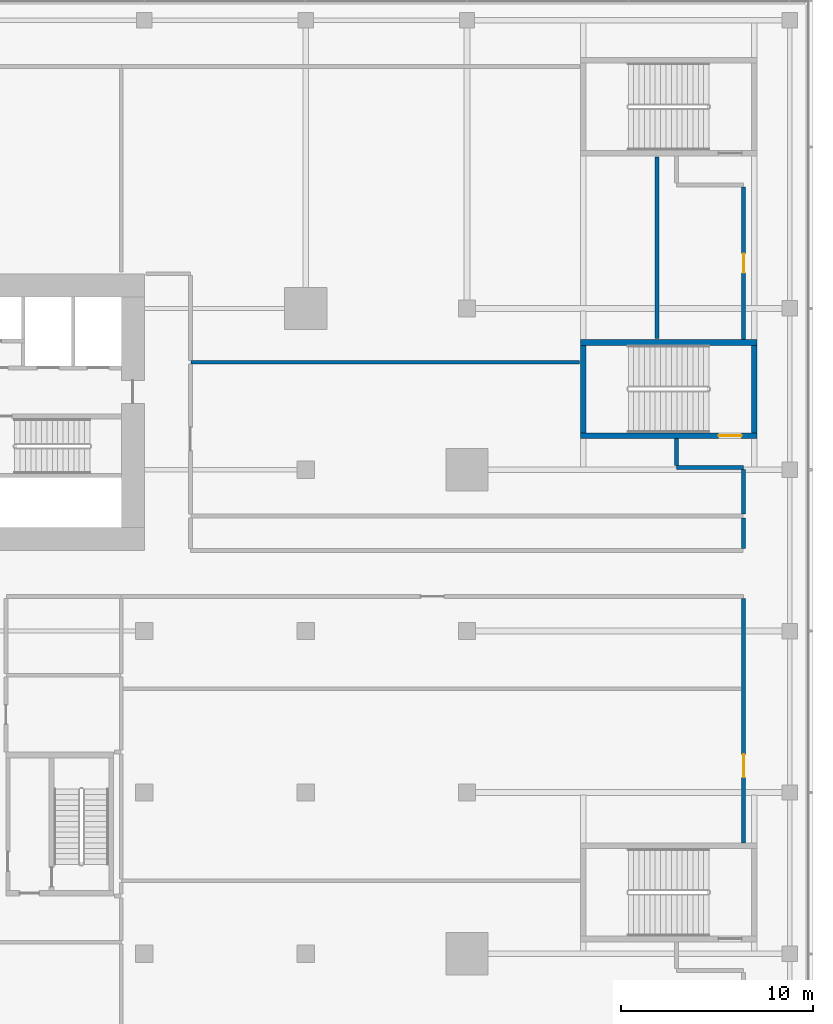
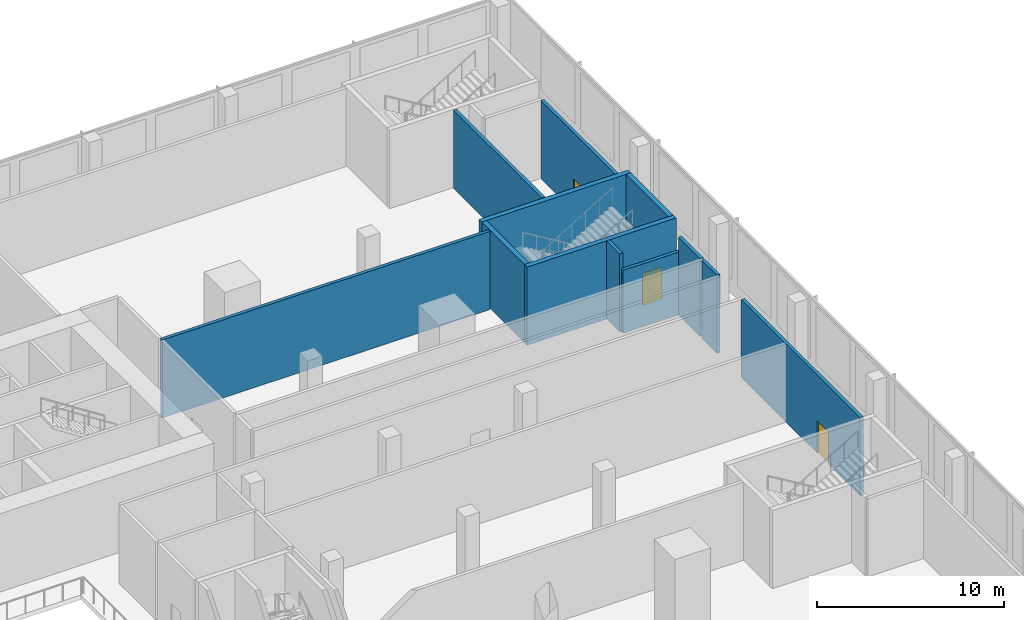
# One storey, part 32 of 39: 12 walls, 3 doors, 3 openings.
"""IFC4 building model written with IfcOpenShell, lengths in metres."""

from ifc_helpers import new_model, si_unit, direction, frame, frame_2d, origin, place, context, subcontext, project, spatial, rectangle, extrude, material, layer, layer_set, type_object, element, fill, save


model = new_model("IFC4")

# Units and contexts
model_context = context("Model", 3, precision=1e-05, world=origin(), true_north=direction((0.0, 1.0)))
body_context = subcontext(model_context, "Body", "Model", "MODEL_VIEW")
ifc_project = project(units=[si_unit("LENGTHUNIT", "METRE"), si_unit("AREAUNIT", "SQUARE_METRE"), si_unit("VOLUMEUNIT", "CUBIC_METRE"), si_unit("PLANEANGLEUNIT", "RADIAN"), si_unit("MASSUNIT", "GRAM", prefix="KILO")], contexts=[model_context])

# Site, building, storey
site_placement = place(None, origin())
site = spatial("IfcSite", under=ifc_project, at=site_placement, CompositionType="ELEMENT")
building_placement = place(site_placement, origin())
building = spatial("IfcBuilding", under=site, at=building_placement, Name="Saffron Gate Tower", CompositionType="ELEMENT")
storey_placement = place(building_placement, frame((0.0, 0.0, 9.0)))
storey = spatial("IfcBuildingStorey", under=building, at=storey_placement, Name="L01", CompositionType="ELEMENT", Elevation=9.0)

# Wall, opening, door
ifc_material_1 = material(Name="Concrete C70", Category="concrete")
ifc_layer_1 = layer(ifc_material_1, 0.300048828125)
ifc_layer_set_1 = layer_set([ifc_layer_1], Name="CW5 RC core wall 300 C70")
wall_type_1 = type_object("IfcWallType", Name="CW5 RC core wall 300 C70", PredefinedType="SOLIDWALL", material=ifc_layer_set_1)
wall_1_placement = place(storey_placement, frame((131.300048828125, 67.175048828125, 0.0), z_axis=(0.0, 0.0, 1.0), x_axis=(1.0, 0.0, 0.0)))
wall_1 = element("IfcWall", 1, at=wall_1_placement, inside=storey, type_object=wall_type_1, Name="Wall CW5-L01-J-1", PredefinedType="SOLIDWALL", context=body_context, shape_type="SweptSolid", body=[
    extrude(rectangle(XDim=9.199951171875, YDim=0.300048828125, at=frame_2d((4.60009765625, 0.0))), origin(), (0.0, 0.0, 1.0), 5.10009765625),
])
opening_1_placement = place(wall_1_placement, frame((7.199951171875, 0.0, 0.0)))
opening_1 = element("IfcOpeningElement", 2, at=opening_1_placement, cuts=wall_1, Name="Opening CR-38", PredefinedType="OPENING", context=body_context, shape_type="SweptSolid", body=[
    extrude(rectangle(XDim=1.199951171875, YDim=2.10009765625, at=frame_2d((0.60009765625, 1.050048828125))), frame((0.0, 0.16015625, 0.0), z_axis=(0.0, -1.0, 0.0), x_axis=(1.0, 0.0, 0.0)), (0.0, 0.0, 1.0), 0.320068359375),
])
ifc_material_2 = material(Name="Steel fire door set", Category="steel")
door_type_1 = type_object("IfcDoorType", Name="CD12 Stair door 1200x2100 EI 120", OperationType="NOTDEFINED", PredefinedType="DOOR", material=ifc_material_2)
door_1_placement = place(opening_1_placement, origin())
door_1 = element("IfcDoor", 3, at=door_1_placement, inside=storey, type_object=door_type_1, Name="DOOR CR-38", OperationType="SINGLE_SWING_RIGHT", OverallHeight=2.10009765625, OverallWidth=1.199951171875, PredefinedType="DOOR", context=body_context, shape_type="SweptSolid", body=[
    extrude(rectangle(XDim=1.199951171875, YDim=2.10009765625, at=frame_2d((0.60009765625, 1.050048828125))), frame((0.0, 0.02490234375, 0.0), z_axis=(0.0, -1.0, 0.0), x_axis=(1.0, 0.0, 0.0)), (0.0, 0.0, 1.0), 0.050048828125),
])
fill(opening_1, door_1)

# Walls
for number, where, z_axis, x_axis, name in (
    (4, (131.449951171875, 67.324951171875, 0.0), (0.0, 0.0, 1.0), (0.0, 1.0, 0.0), "Wall CW5-L01-J-2"),
    (5, (140.35009765625, 67.324951171875, 0.0), (0.0, 0.0, 1.0), (0.0, 1.0, 0.0), "Wall CW5-L01-J-3"),
):
    element("IfcWall", number, at=place(storey_placement, frame(where, z_axis=z_axis, x_axis=x_axis)), inside=storey, type_object=wall_type_1, Name=name, PredefinedType="SOLIDWALL", context=body_context, shape_type="SweptSolid", body=[
        extrude(rectangle(XDim=4.550048828125, YDim=0.300048828125, at=frame_2d((2.27490234375, 0.0))), origin(), (0.0, 0.0, 1.0), 5.10009765625),
    ])
wall_2_placement = place(storey_placement, frame((131.300048828125, 72.02490234375, 0.0), z_axis=(0.0, 0.0, 1.0), x_axis=(1.0, 0.0, 0.0)))
element("IfcWall", 6, at=wall_2_placement, inside=storey, type_object=wall_type_1, Name="Wall CW5-L01-J-4", PredefinedType="SOLIDWALL", context=body_context, shape_type="SweptSolid", body=[
    extrude(rectangle(XDim=9.199951171875, YDim=0.300048828125, at=frame_2d((4.60009765625, 0.0))), origin(), (0.0, 0.0, 1.0), 5.10009765625),
])
ifc_material_3 = material(Name="Clay brick masonry, rendered", Category="masonry")
ifc_layer_2 = layer(ifc_material_3, 0.199951171875)
ifc_layer_set_2 = layer_set([ifc_layer_2], Name="PW3 Corridor wall 200")
wall_type_2 = type_object("IfcWallType", Name="PW3 Corridor wall 200", PredefinedType="PARTITIONING", material=ifc_layer_set_2)
wall_3_placement = place(storey_placement, frame((136.300048828125, 65.52490234375, 0.0), z_axis=(0.0, 0.0, 1.0), x_axis=(1.0, 0.0, 0.0)))
element("IfcWall", 7, at=wall_3_placement, inside=storey, type_object=wall_type_2, Name="Wall P1-24", PredefinedType="PARTITIONING", context=body_context, shape_type="SweptSolid", body=[
    extrude(rectangle(XDim=3.5, YDim=0.199951171875, at=frame_2d((1.75, 0.0))), origin(), (0.0, 0.0, 1.0), 4.110107421875),
])
wall_4_placement = place(storey_placement, frame((136.300048828125, 67.02490234375, 0.0), z_axis=(0.0, 0.0, 1.0), x_axis=(0.0, -1.0, 0.0)))
element("IfcWall", 8, at=wall_4_placement, inside=storey, type_object=wall_type_2, Name="Wall P1-71", PredefinedType="PARTITIONING", context=body_context, shape_type="SweptSolid", body=[
    extrude(rectangle(XDim=1.39990234375, YDim=0.199951171875, at=frame_2d((0.699951171875, 0.0))), origin(), (0.0, 0.0, 1.0), 5.10009765625),
])

# Wall, opening, door
wall_5_placement = place(storey_placement, frame((139.800048828125, 45.97509765625, 0.0), z_axis=(0.0, 0.0, 1.0), x_axis=(0.0, 1.0, 0.0)))
wall_5 = element("IfcWall", 9, at=wall_5_placement, inside=storey, type_object=wall_type_2, Name="Wall P1-74", PredefinedType="PARTITIONING", context=body_context, shape_type="SweptSolid", body=[
    extrude(rectangle(XDim=12.724853515625, YDim=0.199951171875, at=frame_2d((6.3623046875, 0.0))), origin(), (0.0, 0.0, 1.0), 5.10009765625),
])
opening_2_placement = place(wall_5_placement, frame((3.41259765625, 0.0, 0.0)))
opening_2 = element("IfcOpeningElement", 10, at=opening_2_placement, cuts=wall_5, Name="Opening P1-9", PredefinedType="OPENING", context=body_context, shape_type="SweptSolid", body=[
    extrude(rectangle(XDim=1.199951171875, YDim=2.10009765625, at=frame_2d((0.60009765625, 1.050048828125))), frame((0.0, 0.10986328125, 0.0), z_axis=(0.0, -1.0, 0.0), x_axis=(1.0, 0.0, 0.0)), (0.0, 0.0, 1.0), 0.219970703125),
])
ifc_material_4 = material(Name="Timber door set", Category="wood")
door_type_2 = type_object("IfcDoorType", Name="HD1 Hall door 1200x2100", OperationType="NOTDEFINED", PredefinedType="DOOR", material=ifc_material_4)
door_2_placement = place(opening_2_placement, origin())
door_2 = element("IfcDoor", 11, at=door_2_placement, inside=storey, type_object=door_type_2, Name="Door P1-9", OperationType="SINGLE_SWING_LEFT", OverallHeight=2.10009765625, OverallWidth=1.199951171875, PredefinedType="DOOR", context=body_context, shape_type="SweptSolid", body=[
    extrude(rectangle(XDim=1.199951171875, YDim=2.10009765625, at=frame_2d((0.60009765625, 1.050048828125))), frame((0.0, 0.02490234375, 0.0), z_axis=(0.0, -1.0, 0.0), x_axis=(1.0, 0.0, 0.0)), (0.0, 0.0, 1.0), 0.050048828125),
])
fill(opening_2, door_2)

# Wall
wall_6_placement = place(storey_placement, frame((139.800048828125, 65.425048828125, 0.0), z_axis=(0.0, 0.0, 1.0), x_axis=(0.0, -1.0, 0.0)))
element("IfcWall", 12, at=wall_6_placement, inside=storey, type_object=wall_type_2, Name="Wall P1-75", PredefinedType="PARTITIONING", context=body_context, shape_type="SweptSolid", body=[
    extrude(rectangle(XDim=2.324951171875, YDim=0.199951171875, at=frame_2d((1.16259765625, 0.0))), origin(), (0.0, 0.0, 1.0), 5.10009765625),
])

# Wall, opening, door
wall_7_placement = place(storey_placement, frame((139.800048828125, 72.175048828125, 0.0), z_axis=(0.0, 0.0, 1.0), x_axis=(0.0, 1.0, 0.0)))
wall_7 = element("IfcWall", 13, at=wall_7_placement, inside=storey, type_object=wall_type_2, Name="Wall P1-76", PredefinedType="PARTITIONING", context=body_context, shape_type="SweptSolid", body=[
    extrude(rectangle(XDim=7.949951171875, YDim=0.199951171875, at=frame_2d((3.97509765625, 0.0))), origin(), (0.0, 0.0, 1.0), 5.10009765625),
])
opening_3_placement = place(wall_7_placement, frame((3.47509765625, 0.0, 0.0)))
opening_3 = element("IfcOpeningElement", 14, at=opening_3_placement, cuts=wall_7, Name="Opening P1-1", PredefinedType="OPENING", context=body_context, shape_type="SweptSolid", body=[
    extrude(rectangle(XDim=1.0, YDim=2.10009765625, at=frame_2d((0.5, 1.050048828125))), frame((0.0, 0.10986328125, 0.0), z_axis=(0.0, -1.0, 0.0), x_axis=(1.0, 0.0, 0.0)), (0.0, 0.0, 1.0), 0.219970703125),
])
door_type_3 = type_object("IfcDoorType", Name="RD1 Room door 900x2100", OperationType="NOTDEFINED", PredefinedType="DOOR", material=ifc_material_4)
door_3_placement = place(opening_3_placement, origin())
door_3 = element("IfcDoor", 15, at=door_3_placement, inside=storey, type_object=door_type_3, Name="Door P1-1", OperationType="SINGLE_SWING_LEFT", OverallHeight=2.10009765625, OverallWidth=1.0, PredefinedType="DOOR", context=body_context, shape_type="SweptSolid", body=[
    extrude(rectangle(XDim=1.0, YDim=2.10009765625, at=frame_2d((0.5, 1.050048828125))), frame((0.0, 0.02490234375, 0.0), z_axis=(0.0, -1.0, 0.0), x_axis=(1.0, 0.0, 0.0)), (0.0, 0.0, 1.0), 0.050048828125),
])
fill(opening_3, door_3)

# Walls
ifc_layer_3 = layer(ifc_material_3, 0.199951171875)
ifc_layer_set_3 = layer_set([ifc_layer_3], Name="PW5 Room wall 200")
wall_type_3 = type_object("IfcWallType", Name="PW5 Room wall 200", PredefinedType="PARTITIONING", material=ifc_layer_set_3)
wall_8_placement = place(storey_placement, frame((111.02001953125, 71.0, 0.0), z_axis=(0.0, 0.0, 1.0), x_axis=(1.0, 0.0, 0.0)))
element("IfcWall", 16, at=wall_8_placement, inside=storey, type_object=wall_type_3, Name="Wall P1-26", PredefinedType="PARTITIONING", context=body_context, shape_type="SweptSolid", body=[
    extrude(rectangle(XDim=20.22998046875, YDim=0.199951171875, at=frame_2d((10.114990234375, 0.0))), origin(), (0.0, 0.0, 1.0), 5.10009765625),
])
wall_9_placement = place(storey_placement, frame((135.300048828125, 81.675048828125, 0.0), z_axis=(0.0, 0.0, 1.0), x_axis=(0.0, -1.0, 0.0)))
element("IfcWall", 17, at=wall_9_placement, inside=storey, type_object=wall_type_3, Name="Wall P1-69", PredefinedType="PARTITIONING", context=body_context, shape_type="SweptSolid", body=[
    extrude(rectangle(XDim=9.449951171875, YDim=0.199951171875, at=frame_2d((4.72509765625, 0.0))), origin(), (0.0, 0.0, 1.0), 5.10009765625),
])
wall_10_placement = place(storey_placement, frame((139.800048828125, 62.89990234375, 0.0), z_axis=(0.0, 0.0, 1.0), x_axis=(0.0, -1.0, 0.0)))
element("IfcWall", 18, at=wall_10_placement, inside=storey, type_object=wall_type_3, Name="Wall P1-77", PredefinedType="PARTITIONING", context=body_context, shape_type="SweptSolid", body=[
    extrude(rectangle(XDim=1.599853515625, YDim=0.199951171875, at=frame_2d((0.7998046875, 0.0))), origin(), (0.0, 0.0, 1.0), 5.10009765625),
])

save(model, "model.ifc")
